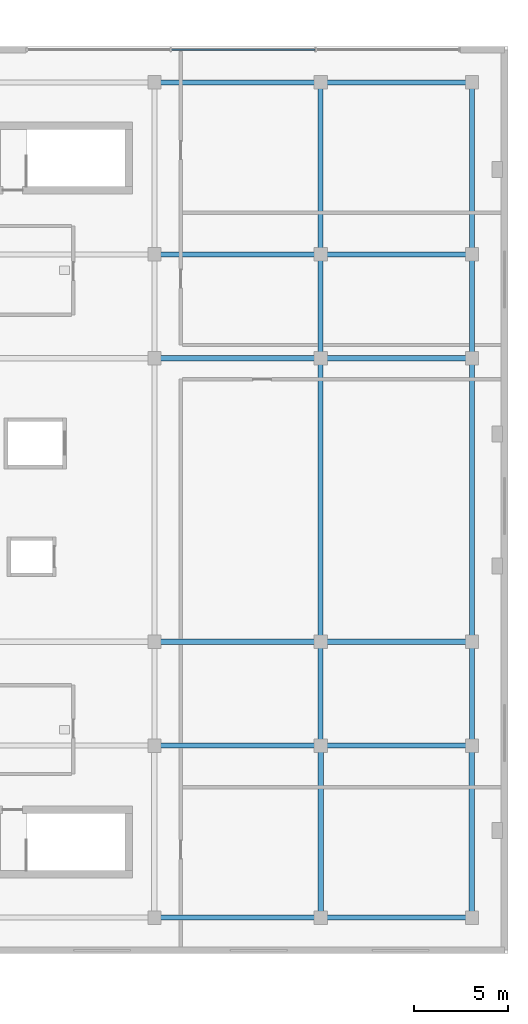
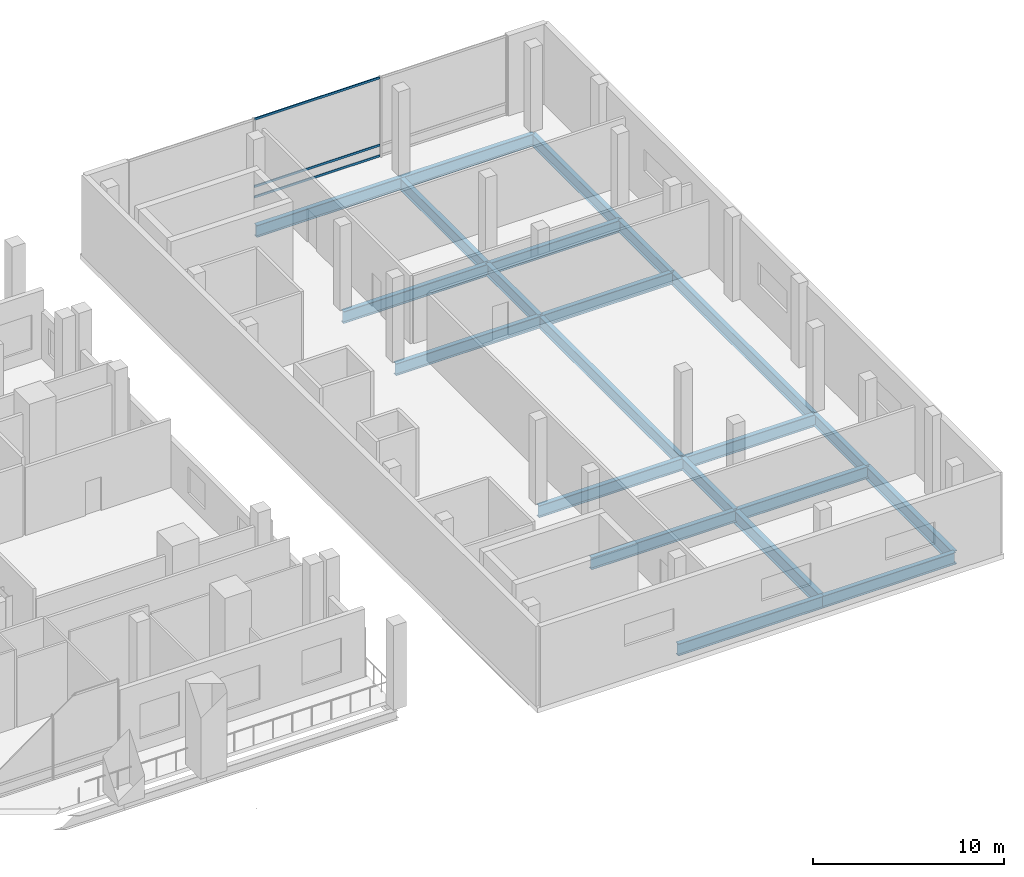
# One storey, part 13 of 25: 22 beams, 3 members, 1 element without a shape of its own.
"""IFC4 building model written with IfcOpenShell, lengths in metres."""

from ifc_helpers import new_model, si_unit, direction, frame, origin, origin_2d, place, context, subcontext, project, spatial, hollow_rectangle, i_section, extrude, material, layer, layer_set, material_profile, profile_set, type_object, element, aggregate, save


model = new_model("IFC4")

# Units and contexts
model_context = context("Model", 3, precision=1e-05, world=origin(), true_north=direction((0.0, 1.0)))
body_context = subcontext(model_context, "Body", "Model", "MODEL_VIEW")
ifc_project = project(units=[si_unit("LENGTHUNIT", "METRE"), si_unit("AREAUNIT", "SQUARE_METRE"), si_unit("VOLUMEUNIT", "CUBIC_METRE"), si_unit("PLANEANGLEUNIT", "RADIAN"), si_unit("MASSUNIT", "GRAM", prefix="KILO")], contexts=[model_context])

# Site, building, storey
site_placement = place(None, origin())
site = spatial("IfcSite", under=ifc_project, at=site_placement, CompositionType="ELEMENT")
building_placement = place(site_placement, origin())
building = spatial("IfcBuilding", under=site, at=building_placement, Name="Barlavira Tower and Art Museum", CompositionType="ELEMENT")
storey_placement = place(building_placement, frame((0.0, 0.0, 22.199951171875)))
storey = spatial("IfcBuildingStorey", under=building, at=storey_placement, Name="L04", CompositionType="ELEMENT", Elevation=22.199951171875)

# Curtain wall, members
ifc_material_1 = material(Name="Low-iron coastal laminated glass", Category="glass")
ifc_layer = layer(ifc_material_1, 0.199951171875, Name="Low-iron coastal laminated glass")
ifc_layer_set = layer_set([ifc_layer], Name="Low-iron coastal laminated glass")
curtain_wall_type = type_object("IfcCurtainWallType", Name="Coastal Art Museum North-Light Curtain Wall", PredefinedType="NOTDEFINED", material=ifc_layer_set)
curtain_wall_placement = place(storey_placement, origin())
curtain_wall = element("IfcCurtainWall", 1, at=curtain_wall_placement, inside=storey, type_object=curtain_wall_type, Name="L04 Curtain Wall CW6-MUS-L04-N", PredefinedType="NOTDEFINED")
ifc_material_2 = material(Name="Pale anodised aluminium", Category="aluminium")
ifc_material_profile_1 = material_profile(ifc_material_2, hollow_rectangle(XDim=0.06494140625, YDim=0.139892578125, WallThickness=0.00390625, at=origin_2d()), Name="ALU-TRAN 65x140x4")
ifc_profile_set_1 = profile_set([ifc_material_profile_1], Name="Pale anodised aluminium")
member_type = type_object("IfcMemberType", Name="Curtain Wall Pale-Metal Transom 65x140", PredefinedType="USERDEFINED", material=ifc_profile_set_1)
member_1_placement = place(storey_placement, frame((47.288330078125, 23.824951171875, 0.070068359375), z_axis=(-1.0, 0.0, 0.0), x_axis=(0.0, -1.0, 0.0)))
member_1 = element("IfcMember", 2, at=member_1_placement, type_object=member_type, Name="CW6-MUS-L04-N Transom 1.1", ObjectType="TRANSOM", PredefinedType="USERDEFINED", context=body_context, shape_type="SweptSolid", body=[
    extrude(hollow_rectangle(XDim=0.06494140625, YDim=0.139892578125, WallThickness=0.00390625, at=origin_2d()), origin(), (0.0, 0.0, 1.0), 7.57666015625),
])
member_2_placement = place(storey_placement, frame((47.288330078125, 23.824951171875, 0.75), z_axis=(-1.0, 0.0, 0.0), x_axis=(0.0, -1.0, 0.0)))
member_2 = element("IfcMember", 3, at=member_2_placement, type_object=member_type, Name="CW6-MUS-L04-N Transom 1.2", ObjectType="TRANSOM", PredefinedType="USERDEFINED", context=body_context, shape_type="SweptSolid", body=[
    extrude(hollow_rectangle(XDim=0.06494140625, YDim=0.139892578125, WallThickness=0.00390625, at=origin_2d()), origin(), (0.0, 0.0, 1.0), 7.57666015625),
])
member_3_placement = place(storey_placement, frame((47.288330078125, 23.824951171875, 5.06005859375), z_axis=(-1.0, 0.0, 0.0), x_axis=(0.0, -1.0, 0.0)))
member_3 = element("IfcMember", 4, at=member_3_placement, type_object=member_type, Name="CW6-MUS-L04-N Transom 1.3", ObjectType="TRANSOM", PredefinedType="USERDEFINED", context=body_context, shape_type="SweptSolid", body=[
    extrude(hollow_rectangle(XDim=0.06494140625, YDim=0.139892578125, WallThickness=0.00390625, at=origin_2d()), origin(), (0.0, 0.0, 1.0), 7.57666015625),
])
aggregate(curtain_wall, [member_1, member_2, member_3])

# Beams
ifc_material_3 = material(Name="Steel S355", Category="steel")
ifc_material_profile_2 = material_profile(ifc_material_3, i_section(OverallWidth=0.2939453125, OverallDepth=0.85107421875, WebThickness=0.017333984375, FlangeThickness=0.0283203125, at=origin_2d()), Name="W840x251.0")
ifc_profile_set_2 = profile_set([ifc_material_profile_2], Name="Steel S355")
beam_type_1 = type_object("IfcBeamType", Name="Museum Auditorium Heavy Girder W840x251 Steel S355", PredefinedType="BEAM", material=ifc_profile_set_2)
for number, where, z_axis, x_axis, name in (
    (5, (47.60009765625, -22.10009765625, -0.745361328125), (0.0, 1.0, 0.0), (-1.0, 0.0, 0.0), "L04 Museum Girder Y 3-1"),
    (6, (55.60009765625, -22.10009765625, -0.745361328125), (0.0, 1.0, 0.0), (-1.0, 0.0, 0.0), "L04 Museum Girder Y 4-1"),
):
    element("IfcBeam", number, at=place(storey_placement, frame(where, z_axis=z_axis, x_axis=x_axis)), inside=storey, type_object=beam_type_1, Name=name, PredefinedType="BEAM", context=body_context, shape_type="SweptSolid", body=[
        extrude(i_section(OverallWidth=0.2939453125, OverallDepth=0.85107421875, WebThickness=0.017333984375, FlangeThickness=0.0283203125, at=origin_2d()), origin(), (0.0, 0.0, 1.0), 9.10009765625),
    ])
ifc_material_profile_3 = material_profile(ifc_material_3, i_section(OverallWidth=0.26904296875, OverallDepth=0.76806640625, WebThickness=0.016845703125, FlangeThickness=0.026611328125, at=origin_2d()), Name="W760x220.0")
ifc_profile_set_3 = profile_set([ifc_material_profile_3], Name="Steel S355")
beam_type_2 = type_object("IfcBeamType", Name="Museum Long-Span Gallery Girder W760x220 Steel S355", PredefinedType="BEAM", material=ifc_profile_set_3)
beam_1_placement = place(storey_placement, frame((47.60009765625, -13.0, -0.703857421875), z_axis=(0.0, 1.0, 0.0), x_axis=(-1.0, 0.0, 0.0)))
element("IfcBeam", 7, at=beam_1_placement, inside=storey, type_object=beam_type_2, Name="L04 Museum Girder Y 3-2", PredefinedType="BEAM", context=body_context, shape_type="SweptSolid", body=[
    extrude(i_section(OverallWidth=0.26904296875, OverallDepth=0.76806640625, WebThickness=0.016845703125, FlangeThickness=0.026611328125, at=origin_2d()), origin(), (0.0, 0.0, 1.0), 5.5),
])
beam_2_placement = place(storey_placement, frame((47.60009765625, -7.5, -0.703857421875), z_axis=(0.0, 1.0, 0.0), x_axis=(-1.0, 0.0, 0.0)))
element("IfcBeam", 8, at=beam_2_placement, inside=storey, type_object=beam_type_2, Name="L04 Museum Girder Y 3-3", PredefinedType="BEAM", context=body_context, shape_type="SweptSolid", body=[
    extrude(i_section(OverallWidth=0.26904296875, OverallDepth=0.76806640625, WebThickness=0.016845703125, FlangeThickness=0.026611328125, at=origin_2d()), origin(), (0.0, 0.0, 1.0), 15.0),
])
beam_3_placement = place(storey_placement, frame((47.60009765625, 7.5, -0.703857421875), z_axis=(0.0, 1.0, 0.0), x_axis=(-1.0, 0.0, 0.0)))
element("IfcBeam", 9, at=beam_3_placement, inside=storey, type_object=beam_type_2, Name="L04 Museum Girder Y 3-4", PredefinedType="BEAM", context=body_context, shape_type="SweptSolid", body=[
    extrude(i_section(OverallWidth=0.26904296875, OverallDepth=0.76806640625, WebThickness=0.016845703125, FlangeThickness=0.026611328125, at=origin_2d()), origin(), (0.0, 0.0, 1.0), 5.5),
])
beam_4_placement = place(storey_placement, frame((47.60009765625, 13.0, -0.703857421875), z_axis=(0.0, 1.0, 0.0), x_axis=(-1.0, 0.0, 0.0)))
element("IfcBeam", 10, at=beam_4_placement, inside=storey, type_object=beam_type_2, Name="L04 Museum Girder Y 3-5", PredefinedType="BEAM", context=body_context, shape_type="SweptSolid", body=[
    extrude(i_section(OverallWidth=0.26904296875, OverallDepth=0.76806640625, WebThickness=0.016845703125, FlangeThickness=0.026611328125, at=origin_2d()), origin(), (0.0, 0.0, 1.0), 9.10009765625),
])
beam_5_placement = place(storey_placement, frame((55.60009765625, -13.0, -0.703857421875), z_axis=(0.0, 1.0, 0.0), x_axis=(-1.0, 0.0, 0.0)))
element("IfcBeam", 11, at=beam_5_placement, inside=storey, type_object=beam_type_2, Name="L04 Museum Girder Y 4-2", PredefinedType="BEAM", context=body_context, shape_type="SweptSolid", body=[
    extrude(i_section(OverallWidth=0.26904296875, OverallDepth=0.76806640625, WebThickness=0.016845703125, FlangeThickness=0.026611328125, at=origin_2d()), origin(), (0.0, 0.0, 1.0), 5.5),
])
beam_6_placement = place(storey_placement, frame((55.60009765625, -7.5, -0.703857421875), z_axis=(0.0, 1.0, 0.0), x_axis=(-1.0, 0.0, 0.0)))
element("IfcBeam", 12, at=beam_6_placement, inside=storey, type_object=beam_type_2, Name="L04 Museum Girder Y 4-3", PredefinedType="BEAM", context=body_context, shape_type="SweptSolid", body=[
    extrude(i_section(OverallWidth=0.26904296875, OverallDepth=0.76806640625, WebThickness=0.016845703125, FlangeThickness=0.026611328125, at=origin_2d()), origin(), (0.0, 0.0, 1.0), 15.0),
])
beam_7_placement = place(storey_placement, frame((55.60009765625, 7.5, -0.703857421875), z_axis=(0.0, 1.0, 0.0), x_axis=(-1.0, 0.0, 0.0)))
element("IfcBeam", 13, at=beam_7_placement, inside=storey, type_object=beam_type_2, Name="L04 Museum Girder Y 4-4", PredefinedType="BEAM", context=body_context, shape_type="SweptSolid", body=[
    extrude(i_section(OverallWidth=0.26904296875, OverallDepth=0.76806640625, WebThickness=0.016845703125, FlangeThickness=0.026611328125, at=origin_2d()), origin(), (0.0, 0.0, 1.0), 5.5),
])
beam_8_placement = place(storey_placement, frame((55.60009765625, 13.0, -0.703857421875), z_axis=(0.0, 1.0, 0.0), x_axis=(-1.0, 0.0, 0.0)))
element("IfcBeam", 14, at=beam_8_placement, inside=storey, type_object=beam_type_2, Name="L04 Museum Girder Y 4-5", PredefinedType="BEAM", context=body_context, shape_type="SweptSolid", body=[
    extrude(i_section(OverallWidth=0.26904296875, OverallDepth=0.76806640625, WebThickness=0.016845703125, FlangeThickness=0.026611328125, at=origin_2d()), origin(), (0.0, 0.0, 1.0), 9.10009765625),
])
beam_9_placement = place(storey_placement, frame((38.800048828125, -22.10009765625, -0.703857421875), z_axis=(1.0, 0.0, 0.0), x_axis=(0.0, 1.0, 0.0)))
element("IfcBeam", 15, at=beam_9_placement, inside=storey, type_object=beam_type_2, Name="L04 Museum Girder X 1-2", PredefinedType="BEAM", context=body_context, shape_type="SweptSolid", body=[
    extrude(i_section(OverallWidth=0.26904296875, OverallDepth=0.76806640625, WebThickness=0.016845703125, FlangeThickness=0.026611328125, at=origin_2d()), origin(), (0.0, 0.0, 1.0), 8.800048828125),
])
beam_10_placement = place(storey_placement, frame((47.60009765625, -22.10009765625, -0.703857421875), z_axis=(1.0, 0.0, 0.0), x_axis=(0.0, 1.0, 0.0)))
element("IfcBeam", 16, at=beam_10_placement, inside=storey, type_object=beam_type_2, Name="L04 Museum Girder X 1-3", PredefinedType="BEAM", context=body_context, shape_type="SweptSolid", body=[
    extrude(i_section(OverallWidth=0.26904296875, OverallDepth=0.76806640625, WebThickness=0.016845703125, FlangeThickness=0.026611328125, at=origin_2d()), origin(), (0.0, 0.0, 1.0), 8.0),
])
beam_11_placement = place(storey_placement, frame((38.800048828125, -13.0, -0.703857421875), z_axis=(1.0, 0.0, 0.0), x_axis=(0.0, 1.0, 0.0)))
element("IfcBeam", 17, at=beam_11_placement, inside=storey, type_object=beam_type_2, Name="L04 Museum Girder X 2-2", PredefinedType="BEAM", context=body_context, shape_type="SweptSolid", body=[
    extrude(i_section(OverallWidth=0.26904296875, OverallDepth=0.76806640625, WebThickness=0.016845703125, FlangeThickness=0.026611328125, at=origin_2d()), origin(), (0.0, 0.0, 1.0), 8.800048828125),
])
beam_12_placement = place(storey_placement, frame((47.60009765625, -13.0, -0.703857421875), z_axis=(1.0, 0.0, 0.0), x_axis=(0.0, 1.0, 0.0)))
element("IfcBeam", 18, at=beam_12_placement, inside=storey, type_object=beam_type_2, Name="L04 Museum Girder X 2-3", PredefinedType="BEAM", context=body_context, shape_type="SweptSolid", body=[
    extrude(i_section(OverallWidth=0.26904296875, OverallDepth=0.76806640625, WebThickness=0.016845703125, FlangeThickness=0.026611328125, at=origin_2d()), origin(), (0.0, 0.0, 1.0), 8.0),
])
beam_13_placement = place(storey_placement, frame((38.800048828125, -7.5, -0.703857421875), z_axis=(1.0, 0.0, 0.0), x_axis=(0.0, 1.0, 0.0)))
element("IfcBeam", 19, at=beam_13_placement, inside=storey, type_object=beam_type_2, Name="L04 Museum Girder X 3-2", PredefinedType="BEAM", context=body_context, shape_type="SweptSolid", body=[
    extrude(i_section(OverallWidth=0.26904296875, OverallDepth=0.76806640625, WebThickness=0.016845703125, FlangeThickness=0.026611328125, at=origin_2d()), origin(), (0.0, 0.0, 1.0), 8.800048828125),
])
beam_14_placement = place(storey_placement, frame((47.60009765625, -7.5, -0.703857421875), z_axis=(1.0, 0.0, 0.0), x_axis=(0.0, 1.0, 0.0)))
element("IfcBeam", 20, at=beam_14_placement, inside=storey, type_object=beam_type_2, Name="L04 Museum Girder X 3-3", PredefinedType="BEAM", context=body_context, shape_type="SweptSolid", body=[
    extrude(i_section(OverallWidth=0.26904296875, OverallDepth=0.76806640625, WebThickness=0.016845703125, FlangeThickness=0.026611328125, at=origin_2d()), origin(), (0.0, 0.0, 1.0), 8.0),
])
beam_15_placement = place(storey_placement, frame((38.800048828125, 7.5, -0.703857421875), z_axis=(1.0, 0.0, 0.0), x_axis=(0.0, 1.0, 0.0)))
element("IfcBeam", 21, at=beam_15_placement, inside=storey, type_object=beam_type_2, Name="L04 Museum Girder X 4-2", PredefinedType="BEAM", context=body_context, shape_type="SweptSolid", body=[
    extrude(i_section(OverallWidth=0.26904296875, OverallDepth=0.76806640625, WebThickness=0.016845703125, FlangeThickness=0.026611328125, at=origin_2d()), origin(), (0.0, 0.0, 1.0), 8.800048828125),
])
beam_16_placement = place(storey_placement, frame((47.60009765625, 7.5, -0.703857421875), z_axis=(1.0, 0.0, 0.0), x_axis=(0.0, 1.0, 0.0)))
element("IfcBeam", 22, at=beam_16_placement, inside=storey, type_object=beam_type_2, Name="L04 Museum Girder X 4-3", PredefinedType="BEAM", context=body_context, shape_type="SweptSolid", body=[
    extrude(i_section(OverallWidth=0.26904296875, OverallDepth=0.76806640625, WebThickness=0.016845703125, FlangeThickness=0.026611328125, at=origin_2d()), origin(), (0.0, 0.0, 1.0), 8.0),
])
beam_17_placement = place(storey_placement, frame((38.800048828125, 13.0, -0.703857421875), z_axis=(1.0, 0.0, 0.0), x_axis=(0.0, 1.0, 0.0)))
element("IfcBeam", 23, at=beam_17_placement, inside=storey, type_object=beam_type_2, Name="L04 Museum Girder X 5-2", PredefinedType="BEAM", context=body_context, shape_type="SweptSolid", body=[
    extrude(i_section(OverallWidth=0.26904296875, OverallDepth=0.76806640625, WebThickness=0.016845703125, FlangeThickness=0.026611328125, at=origin_2d()), origin(), (0.0, 0.0, 1.0), 8.800048828125),
])
beam_18_placement = place(storey_placement, frame((47.60009765625, 13.0, -0.703857421875), z_axis=(1.0, 0.0, 0.0), x_axis=(0.0, 1.0, 0.0)))
element("IfcBeam", 24, at=beam_18_placement, inside=storey, type_object=beam_type_2, Name="L04 Museum Girder X 5-3", PredefinedType="BEAM", context=body_context, shape_type="SweptSolid", body=[
    extrude(i_section(OverallWidth=0.26904296875, OverallDepth=0.76806640625, WebThickness=0.016845703125, FlangeThickness=0.026611328125, at=origin_2d()), origin(), (0.0, 0.0, 1.0), 8.0),
])
beam_19_placement = place(storey_placement, frame((38.800048828125, 22.10009765625, -0.703857421875), z_axis=(1.0, 0.0, 0.0), x_axis=(0.0, 1.0, 0.0)))
element("IfcBeam", 25, at=beam_19_placement, inside=storey, type_object=beam_type_2, Name="L04 Museum Girder X 6-2", PredefinedType="BEAM", context=body_context, shape_type="SweptSolid", body=[
    extrude(i_section(OverallWidth=0.26904296875, OverallDepth=0.76806640625, WebThickness=0.016845703125, FlangeThickness=0.026611328125, at=origin_2d()), origin(), (0.0, 0.0, 1.0), 8.800048828125),
])
beam_20_placement = place(storey_placement, frame((47.60009765625, 22.10009765625, -0.703857421875), z_axis=(1.0, 0.0, 0.0), x_axis=(0.0, 1.0, 0.0)))
element("IfcBeam", 26, at=beam_20_placement, inside=storey, type_object=beam_type_2, Name="L04 Museum Girder X 6-3", PredefinedType="BEAM", context=body_context, shape_type="SweptSolid", body=[
    extrude(i_section(OverallWidth=0.26904296875, OverallDepth=0.76806640625, WebThickness=0.016845703125, FlangeThickness=0.026611328125, at=origin_2d()), origin(), (0.0, 0.0, 1.0), 8.0),
])

save(model, "model.ifc")
